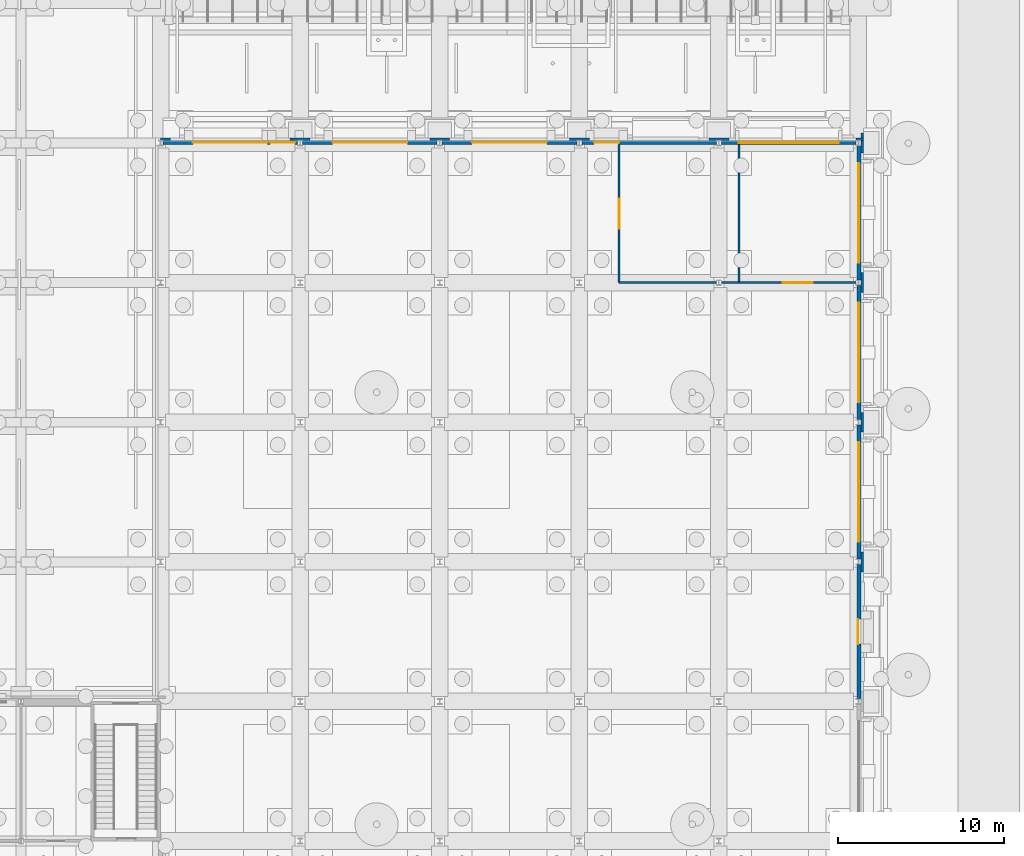
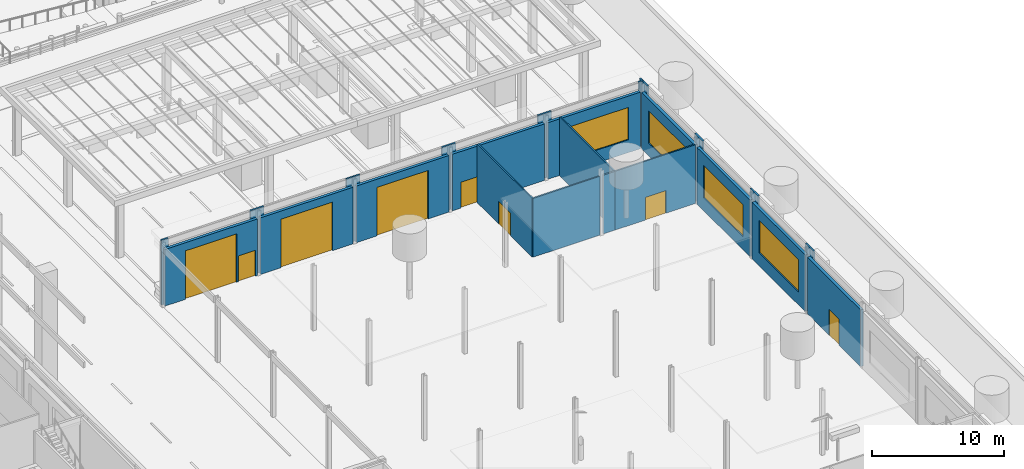
# One storey, part 101 of 222: 24 walls, 8 doors, 4 windows, 12 openings.
"""IFC4 building model written with IfcOpenShell, lengths in metres."""

from ifc_helpers import new_model, si_unit, direction, frame, frame_2d, origin, place, context, subcontext, project, spatial, rectangle, extrude, material, layer, layer_set, type_object, element, fill, save


model = new_model("IFC4")

# Units and contexts
model_context = context("Model", 3, precision=1e-05, world=origin(), true_north=direction((0.0, 1.0)))
body_context = subcontext(model_context, "Body", "Model", "MODEL_VIEW")
ifc_project = project(units=[si_unit("LENGTHUNIT", "METRE"), si_unit("AREAUNIT", "SQUARE_METRE"), si_unit("VOLUMEUNIT", "CUBIC_METRE"), si_unit("PLANEANGLEUNIT", "RADIAN"), si_unit("MASSUNIT", "GRAM", prefix="KILO")], contexts=[model_context])

# Site, building, storey
site_placement = place(None, origin())
site = spatial("IfcSite", under=ifc_project, at=site_placement, CompositionType="ELEMENT")
building_placement = place(site_placement, origin())
building = spatial("IfcBuilding", under=site, at=building_placement, Name="Sava Quay Ferry Terminal", CompositionType="ELEMENT")
storey_placement = place(building_placement, origin())
storey = spatial("IfcBuildingStorey", under=building, at=storey_placement, Name="L00", CompositionType="ELEMENT", Elevation=0.0)

# Wall, openings, doors
ifc_material_1 = material(Name="Concrete C35/45", Category="concrete")
ifc_layer_1 = layer(ifc_material_1, 0.25)
ifc_layer_set_1 = layer_set([ifc_layer_1], Name="Concrete C35/45")
wall_type_1 = type_object("IfcWallType", Name="Deck perimeter precast panel 250", PredefinedType="SOLIDWALL", material=ifc_layer_set_1)
wall_1_placement = place(storey_placement, frame((126.14990234375, 84.034912109375, 0.0), z_axis=(0.0, 0.0, 1.0), x_axis=(1.0, 0.0, 0.0)))
wall_1 = element("IfcWall", 1, at=wall_1_placement, inside=storey, type_object=wall_type_1, Name="External wall V-N", PredefinedType="SOLIDWALL", context=body_context, shape_type="SweptSolid", body=[
    extrude(rectangle(XDim=8.10009765625, YDim=0.25, at=frame_2d((4.050048828125, 0.0))), origin(), (0.0, 0.0, 1.0), 5.25),
])
opening_1_placement = place(wall_1_placement, frame((1.800048828125, 0.0, 0.0)))
opening_1 = element("IfcOpeningElement", 2, at=opening_1_placement, cuts=wall_1, Name="Opening DX-V3", PredefinedType="OPENING", context=body_context, shape_type="SweptSolid", body=[
    extrude(rectangle(XDim=4.5, YDim=4.5, at=frame_2d((2.25, 2.25))), frame((0.0, 0.125, 0.0), z_axis=(0.0, -1.0, 0.0), x_axis=(1.0, 0.0, 0.0)), (0.0, 0.0, 1.0), 0.25),
])
opening_2_placement = place(wall_1_placement, frame((6.449951171875, 0.0, 0.0)))
opening_2 = element("IfcOpeningElement", 3, at=opening_2_placement, cuts=wall_1, Name="Opening DX-V13", PredefinedType="OPENING", context=body_context, shape_type="SweptSolid", body=[
    extrude(rectangle(XDim=1.5, YDim=2.39990234375, at=frame_2d((0.75, 1.199951171875))), frame((0.0, 0.125, 0.0), z_axis=(0.0, -1.0, 0.0), x_axis=(1.0, 0.0, 0.0)), (0.0, 0.0, 1.0), 0.25),
])
ifc_material_2 = material(Name="Aluminium bronze anodised, glazing safety laminated", Category="aluminium")
door_type_1 = type_object("IfcDoorType", Name="Exit door 1500x2400", OperationType="DOUBLE_DOOR_SINGLE_SWING", PredefinedType="DOOR", material=ifc_material_2)
door_1_placement = place(opening_2_placement, origin())
door_1 = element("IfcDoor", 4, at=door_1_placement, inside=storey, type_object=door_type_1, Name="Door DX-V13", OperationType="DOUBLE_DOOR_SINGLE_SWING", OverallHeight=2.39990234375, OverallWidth=1.5, PredefinedType="DOOR", context=body_context, shape_type="SweptSolid", body=[
    extrude(rectangle(XDim=1.5, YDim=2.39990234375, at=frame_2d((0.75, 1.199951171875))), frame((0.0, 0.02490234375, 0.0), z_axis=(0.0, -1.0, 0.0), x_axis=(1.0, 0.0, 0.0)), (0.0, 0.0, 1.0), 0.050048828125),
])
fill(opening_2, door_1)
ifc_material_3 = material(Name="Steel gate galvanised", Category="steel")
door_type_2 = type_object("IfcDoorType", Name="Vehicle gate 4500x4500", OperationType="ROLLINGUP", PredefinedType="GATE", material=ifc_material_3)
door_2_placement = place(opening_1_placement, origin())
door_2 = element("IfcDoor", 5, at=door_2_placement, inside=storey, type_object=door_type_2, Name="Door DX-V3", OperationType="ROLLINGUP", OverallHeight=4.5, OverallWidth=4.5, PredefinedType="GATE", context=body_context, shape_type="SweptSolid", body=[
    extrude(rectangle(XDim=4.5, YDim=4.5, at=frame_2d((2.25, 2.25))), frame((0.0, 0.02490234375, 0.0), z_axis=(0.0, -1.0, 0.0), x_axis=(1.0, 0.0, 0.0)), (0.0, 0.0, 1.0), 0.050048828125),
])
fill(opening_1, door_2)

# Wall, opening, door
wall_2_placement = place(storey_placement, frame((134.550048828125, 84.034912109375, 0.0), z_axis=(0.0, 0.0, 1.0), x_axis=(1.0, 0.0, 0.0)))
wall_2 = element("IfcWall", 6, at=wall_2_placement, inside=storey, type_object=wall_type_1, Name="External wall V-N", PredefinedType="SOLIDWALL", context=body_context, shape_type="SweptSolid", body=[
    extrude(rectangle(XDim=8.099853515625, YDim=0.25, at=frame_2d((4.0498046875, 0.0))), origin(), (0.0, 0.0, 1.0), 5.25),
])
opening_3_placement = place(wall_2_placement, frame((1.800048828125, 0.0, 0.0)))
opening_3 = element("IfcOpeningElement", 7, at=opening_3_placement, cuts=wall_2, Name="Opening DX-V4", PredefinedType="OPENING", context=body_context, shape_type="SweptSolid", body=[
    extrude(rectangle(XDim=4.5, YDim=4.5, at=frame_2d((2.25, 2.25))), frame((0.0, 0.125, 0.0), z_axis=(0.0, -1.0, 0.0), x_axis=(1.0, 0.0, 0.0)), (0.0, 0.0, 1.0), 0.25),
])
door_3_placement = place(opening_3_placement, origin())
door_3 = element("IfcDoor", 8, at=door_3_placement, inside=storey, type_object=door_type_2, Name="Door DX-V4", OperationType="ROLLINGUP", OverallHeight=4.5, OverallWidth=4.5, PredefinedType="GATE", context=body_context, shape_type="SweptSolid", body=[
    extrude(rectangle(XDim=4.5, YDim=4.5, at=frame_2d((2.25, 2.25))), frame((0.0, 0.02490234375, 0.0), z_axis=(0.0, -1.0, 0.0), x_axis=(1.0, 0.0, 0.0)), (0.0, 0.0, 1.0), 0.050048828125),
])
fill(opening_3, door_3)

wall_3_placement = place(storey_placement, frame((142.949951171875, 84.034912109375, 0.0), z_axis=(0.0, 0.0, 1.0), x_axis=(1.0, 0.0, 0.0)))
wall_3 = element("IfcWall", 9, at=wall_3_placement, inside=storey, type_object=wall_type_1, Name="External wall V-N", PredefinedType="SOLIDWALL", context=body_context, shape_type="SweptSolid", body=[
    extrude(rectangle(XDim=8.10009765625, YDim=0.25, at=frame_2d((4.050048828125, 0.0))), origin(), (0.0, 0.0, 1.0), 5.25),
])
opening_4_placement = place(wall_3_placement, frame((1.800048828125, 0.0, 0.0)))
opening_4 = element("IfcOpeningElement", 10, at=opening_4_placement, cuts=wall_3, Name="Opening DX-V5", PredefinedType="OPENING", context=body_context, shape_type="SweptSolid", body=[
    extrude(rectangle(XDim=4.5, YDim=4.5, at=frame_2d((2.25, 2.25))), frame((0.0, 0.125, 0.0), z_axis=(0.0, -1.0, 0.0), x_axis=(1.0, 0.0, 0.0)), (0.0, 0.0, 1.0), 0.25),
])
door_4_placement = place(opening_4_placement, origin())
door_4 = element("IfcDoor", 11, at=door_4_placement, inside=storey, type_object=door_type_2, Name="Door DX-V5", OperationType="ROLLINGUP", OverallHeight=4.5, OverallWidth=4.5, PredefinedType="GATE", context=body_context, shape_type="SweptSolid", body=[
    extrude(rectangle(XDim=4.5, YDim=4.5, at=frame_2d((2.25, 2.25))), frame((0.0, 0.02490234375, 0.0), z_axis=(0.0, -1.0, 0.0), x_axis=(1.0, 0.0, 0.0)), (0.0, 0.0, 1.0), 0.050048828125),
])
fill(opening_4, door_4)

wall_4_placement = place(storey_placement, frame((151.35009765625, 84.034912109375, 0.0), z_axis=(0.0, 0.0, 1.0), x_axis=(1.0, 0.0, 0.0)))
wall_4 = element("IfcWall", 12, at=wall_4_placement, inside=storey, type_object=wall_type_1, Name="External wall V-N", PredefinedType="SOLIDWALL", context=body_context, shape_type="SweptSolid", body=[
    extrude(rectangle(XDim=8.099853515625, YDim=0.25, at=frame_2d((4.0498046875, 0.0))), origin(), (0.0, 0.0, 1.0), 5.25),
])
opening_5_placement = place(wall_4_placement, frame((0.75, 0.0, 0.0)))
opening_5 = element("IfcOpeningElement", 13, at=opening_5_placement, cuts=wall_4, Name="Opening DX-V10", PredefinedType="OPENING", context=body_context, shape_type="SweptSolid", body=[
    extrude(rectangle(XDim=1.5, YDim=2.39990234375, at=frame_2d((0.75, 1.199951171875))), frame((0.0, 0.125, 0.0), z_axis=(0.0, -1.0, 0.0), x_axis=(1.0, 0.0, 0.0)), (0.0, 0.0, 1.0), 0.25),
])
door_5_placement = place(opening_5_placement, origin())
door_5 = element("IfcDoor", 14, at=door_5_placement, inside=storey, type_object=door_type_1, Name="Door DX-V10", OperationType="DOUBLE_DOOR_SINGLE_SWING", OverallHeight=2.39990234375, OverallWidth=1.5, PredefinedType="DOOR", context=body_context, shape_type="SweptSolid", body=[
    extrude(rectangle(XDim=1.5, YDim=2.39990234375, at=frame_2d((0.75, 1.199951171875))), frame((0.0, 0.02490234375, 0.0), z_axis=(0.0, -1.0, 0.0), x_axis=(1.0, 0.0, 0.0)), (0.0, 0.0, 1.0), 0.050048828125),
])
fill(opening_5, door_5)

# Wall, opening, window
wall_5_placement = place(storey_placement, frame((159.75, 84.034912109375, 0.0), z_axis=(0.0, 0.0, 1.0), x_axis=(1.0, 0.0, 0.0)))
wall_5 = element("IfcWall", 15, at=wall_5_placement, inside=storey, type_object=wall_type_1, Name="External wall V-N", PredefinedType="SOLIDWALL", context=body_context, shape_type="SweptSolid", body=[
    extrude(rectangle(XDim=8.10009765625, YDim=0.25, at=frame_2d((4.050048828125, 0.0))), origin(), (0.0, 0.0, 1.0), 5.25),
])
opening_6_placement = place(wall_5_placement, frame((1.050048828125, 0.0, 1.199951171875)))
opening_6 = element("IfcOpeningElement", 16, at=opening_6_placement, cuts=wall_5, Name="Opening W-L", PredefinedType="OPENING", context=body_context, shape_type="SweptSolid", body=[
    extrude(rectangle(XDim=6.0, YDim=3.0, at=frame_2d((3.0, 1.5))), frame((0.0, 0.125, 0.0), z_axis=(0.0, -1.0, 0.0), x_axis=(1.0, 0.0, 0.0)), (0.0, 0.0, 1.0), 0.25),
])
ifc_material_4 = material(Name="Aluminium bronze anodised frame, glazing double low-e Ug 1.1", Category="aluminium")
window_type = type_object("IfcWindowType", Name="Deck louvre window 6000x3000", PartitioningType="SINGLE_PANEL", PredefinedType="WINDOW", material=ifc_material_4)
window_1_placement = place(opening_6_placement, origin())
window_1 = element("IfcWindow", 17, at=window_1_placement, inside=storey, type_object=window_type, Name="Louvre window W-L", OverallHeight=3.0, OverallWidth=6.0, PartitioningType="SINGLE_PANEL", PredefinedType="WINDOW", context=body_context, shape_type="SweptSolid", body=[
    extrude(rectangle(XDim=6.0, YDim=3.0, at=frame_2d((3.0, 1.5))), frame((0.0, 0.030029296875, 0.0), z_axis=(0.0, -1.0, 0.0), x_axis=(1.0, 0.0, 0.0)), (0.0, 0.0, 1.0), 0.06005859375),
])
fill(opening_6, window_1)

# Wall, opening, door
wall_6_placement = place(storey_placement, frame((168.02490234375, 50.56005859375, 0.0), z_axis=(0.0, 0.0, 1.0), x_axis=(0.0, 1.0, 0.0)))
wall_6 = element("IfcWall", 18, at=wall_6_placement, inside=storey, type_object=wall_type_1, Name="External wall V-E", PredefinedType="SOLIDWALL", context=body_context, shape_type="SweptSolid", body=[
    extrude(rectangle(XDim=8.079833984375, YDim=0.25, at=frame_2d((4.0400390625, 0.0))), origin(), (0.0, 0.0, 1.0), 5.25),
])
opening_7_placement = place(wall_6_placement, frame((3.2900390625, 0.0, 0.0)))
opening_7 = element("IfcOpeningElement", 19, at=opening_7_placement, cuts=wall_6, Name="Opening DX-V14", PredefinedType="OPENING", context=body_context, shape_type="SweptSolid", body=[
    extrude(rectangle(XDim=1.5, YDim=2.39990234375, at=frame_2d((0.75, 1.199951171875))), frame((0.0, 0.125, 0.0), z_axis=(0.0, -1.0, 0.0), x_axis=(1.0, 0.0, 0.0)), (0.0, 0.0, 1.0), 0.25),
])
door_6_placement = place(opening_7_placement, frame((1.5, 0.050048828125, 0.0), z_axis=(0.0, 0.0, 1.0), x_axis=(-1.0, 0.0, 0.0)))
door_6 = element("IfcDoor", 20, at=door_6_placement, inside=storey, type_object=door_type_1, Name="Door DX-V14", OperationType="DOUBLE_DOOR_SINGLE_SWING", OverallHeight=2.39990234375, OverallWidth=1.5, PredefinedType="DOOR", context=body_context, shape_type="SweptSolid", body=[
    extrude(rectangle(XDim=1.5, YDim=2.39990234375, at=frame_2d((0.75, 1.199951171875))), frame((0.0, 0.02490234375, 0.0), z_axis=(0.0, -1.0, 0.0), x_axis=(1.0, 0.0, 0.0)), (0.0, 0.0, 1.0), 0.050048828125),
])
fill(opening_7, door_6)

# Wall, opening, window
wall_7_placement = place(storey_placement, frame((168.02490234375, 58.9599609375, 0.0), z_axis=(0.0, 0.0, 1.0), x_axis=(0.0, 1.0, 0.0)))
wall_7 = element("IfcWall", 21, at=wall_7_placement, inside=storey, type_object=wall_type_1, Name="External wall V-E", PredefinedType="SOLIDWALL", context=body_context, shape_type="SweptSolid", body=[
    extrude(rectangle(XDim=8.080078125, YDim=0.25, at=frame_2d((4.0400390625, 0.0))), origin(), (0.0, 0.0, 1.0), 5.25),
])
opening_8_placement = place(wall_7_placement, frame((1.0400390625, 0.0, 1.199951171875)))
opening_8 = element("IfcOpeningElement", 22, at=opening_8_placement, cuts=wall_7, Name="Opening W-L", PredefinedType="OPENING", context=body_context, shape_type="SweptSolid", body=[
    extrude(rectangle(XDim=6.0, YDim=3.0, at=frame_2d((3.0, 1.5))), frame((0.0, 0.125, 0.0), z_axis=(0.0, -1.0, 0.0), x_axis=(1.0, 0.0, 0.0)), (0.0, 0.0, 1.0), 0.25),
])
window_2_placement = place(opening_8_placement, origin())
window_2 = element("IfcWindow", 23, at=window_2_placement, inside=storey, type_object=window_type, Name="Louvre window W-L", OverallHeight=3.0, OverallWidth=6.0, PartitioningType="SINGLE_PANEL", PredefinedType="WINDOW", context=body_context, shape_type="SweptSolid", body=[
    extrude(rectangle(XDim=6.0, YDim=3.0, at=frame_2d((3.0, 1.5))), frame((0.0, 0.030029296875, 0.0), z_axis=(0.0, -1.0, 0.0), x_axis=(1.0, 0.0, 0.0)), (0.0, 0.0, 1.0), 0.06005859375),
])
fill(opening_8, window_2)

wall_8_placement = place(storey_placement, frame((168.02490234375, 67.360107421875, 0.0), z_axis=(0.0, 0.0, 1.0), x_axis=(0.0, 1.0, 0.0)))
wall_8 = element("IfcWall", 24, at=wall_8_placement, inside=storey, type_object=wall_type_1, Name="External wall V-E", PredefinedType="SOLIDWALL", context=body_context, shape_type="SweptSolid", body=[
    extrude(rectangle(XDim=8.079833984375, YDim=0.25, at=frame_2d((4.0400390625, 0.0))), origin(), (0.0, 0.0, 1.0), 5.25),
])
opening_9_placement = place(wall_8_placement, frame((1.0400390625, 0.0, 1.199951171875)))
opening_9 = element("IfcOpeningElement", 25, at=opening_9_placement, cuts=wall_8, Name="Opening W-L", PredefinedType="OPENING", context=body_context, shape_type="SweptSolid", body=[
    extrude(rectangle(XDim=6.0, YDim=3.0, at=frame_2d((3.0, 1.5))), frame((0.0, 0.125, 0.0), z_axis=(0.0, -1.0, 0.0), x_axis=(1.0, 0.0, 0.0)), (0.0, 0.0, 1.0), 0.25),
])
window_3_placement = place(opening_9_placement, origin())
window_3 = element("IfcWindow", 26, at=window_3_placement, inside=storey, type_object=window_type, Name="Louvre window W-L", OverallHeight=3.0, OverallWidth=6.0, PartitioningType="SINGLE_PANEL", PredefinedType="WINDOW", context=body_context, shape_type="SweptSolid", body=[
    extrude(rectangle(XDim=6.0, YDim=3.0, at=frame_2d((3.0, 1.5))), frame((0.0, 0.030029296875, 0.0), z_axis=(0.0, -1.0, 0.0), x_axis=(1.0, 0.0, 0.0)), (0.0, 0.0, 1.0), 0.06005859375),
])
fill(opening_9, window_3)

wall_9_placement = place(storey_placement, frame((168.02490234375, 75.760009765625, 0.0), z_axis=(0.0, 0.0, 1.0), x_axis=(0.0, 1.0, 0.0)))
wall_9 = element("IfcWall", 27, at=wall_9_placement, inside=storey, type_object=wall_type_1, Name="External wall V-E", PredefinedType="SOLIDWALL", context=body_context, shape_type="SweptSolid", body=[
    extrude(rectangle(XDim=8.080078125, YDim=0.25, at=frame_2d((4.0400390625, 0.0))), origin(), (0.0, 0.0, 1.0), 5.25),
])
opening_10_placement = place(wall_9_placement, frame((1.0400390625, 0.0, 1.199951171875)))
opening_10 = element("IfcOpeningElement", 28, at=opening_10_placement, cuts=wall_9, Name="Opening W-L", PredefinedType="OPENING", context=body_context, shape_type="SweptSolid", body=[
    extrude(rectangle(XDim=6.0, YDim=3.0, at=frame_2d((3.0, 1.5))), frame((0.0, 0.125, 0.0), z_axis=(0.0, -1.0, 0.0), x_axis=(1.0, 0.0, 0.0)), (0.0, 0.0, 1.0), 0.25),
])
window_4_placement = place(opening_10_placement, origin())
window_4 = element("IfcWindow", 29, at=window_4_placement, inside=storey, type_object=window_type, Name="Louvre window W-L", OverallHeight=3.0, OverallWidth=6.0, PartitioningType="SINGLE_PANEL", PredefinedType="WINDOW", context=body_context, shape_type="SweptSolid", body=[
    extrude(rectangle(XDim=6.0, YDim=3.0, at=frame_2d((3.0, 1.5))), frame((0.0, 0.030029296875, 0.0), z_axis=(0.0, -1.0, 0.0), x_axis=(1.0, 0.0, 0.0)), (0.0, 0.0, 1.0), 0.06005859375),
])
fill(opening_10, window_4)

# Walls
ifc_material_5 = material(Name="Limestone Mutalj", Category="masonry")
ifc_layer_2 = layer(ifc_material_5, 0.14990234375)
ifc_layer_set_2 = layer_set([ifc_layer_2], Name="Limestone Mutalj")
wall_type_2 = type_object("IfcWallType", Name="Pier cladding 150", PredefinedType="SOLIDWALL", material=ifc_layer_set_2)
wall_10_placement = place(storey_placement, frame((126.0, 84.235107421875, 0.0), z_axis=(0.0, 0.0, 1.0), x_axis=(1.0, 0.0, 0.0)))
element("IfcWall", 30, at=wall_10_placement, inside=storey, type_object=wall_type_2, Name="Pier V-N grid 126", PredefinedType="SOLIDWALL", context=body_context, shape_type="SweptSolid", body=[
    extrude(rectangle(XDim=0.60009765625, YDim=0.14990234375, at=frame_2d((0.300048828125, 0.0))), origin(), (0.0, 0.0, 1.0), 6.0),
])
for number, where, z_axis, x_axis, name in (
    (31, (133.800048828125, 84.235107421875, 0.0), (0.0, 0.0, 1.0), (1.0, 0.0, 0.0), "Pier V-N grid 134.4"),
    (32, (142.199951171875, 84.235107421875, 0.0), (0.0, 0.0, 1.0), (1.0, 0.0, 0.0), "Pier V-N grid 142.8"),
    (33, (150.60009765625, 84.235107421875, 0.0), (0.0, 0.0, 1.0), (1.0, 0.0, 0.0), "Pier V-N grid 151.2"),
    (34, (159.0, 84.235107421875, 0.0), (0.0, 0.0, 1.0), (1.0, 0.0, 0.0), "Pier V-N grid 159.6"),
):
    element("IfcWall", number, at=place(storey_placement, frame(where, z_axis=z_axis, x_axis=x_axis)), inside=storey, type_object=wall_type_2, Name=name, PredefinedType="SOLIDWALL", context=body_context, shape_type="SweptSolid", body=[
        extrude(rectangle(XDim=1.199951171875, YDim=0.14990234375, at=frame_2d((0.60009765625, 0.0))), origin(), (0.0, 0.0, 1.0), 6.0),
    ])
wall_11_placement = place(storey_placement, frame((167.85009765625, 84.235107421875, 0.0), z_axis=(0.0, 0.0, 1.0), x_axis=(1.0, 0.0, 0.0)))
element("IfcWall", 35, at=wall_11_placement, inside=storey, type_object=wall_type_2, Name="Pier V-N grid 168", PredefinedType="SOLIDWALL", context=body_context, shape_type="SweptSolid", body=[
    extrude(rectangle(XDim=0.449951171875, YDim=0.14990234375, at=frame_2d((0.22509765625, 0.0))), origin(), (0.0, 0.0, 1.0), 6.0),
])
for number, where, z_axis, x_axis, name in (
    (36, (168.22509765625, 58.199951171875, 0.0), (0.0, 0.0, 1.0), (0.0, 1.0, 0.0), "Pier V-E grid 58.8"),
    (37, (168.22509765625, 66.60009765625, 0.0), (0.0, 0.0, 1.0), (0.0, 1.0, 0.0), "Pier V-E grid 67.2"),
    (38, (168.22509765625, 75.0, 0.0), (0.0, 0.0, 1.0), (0.0, 1.0, 0.0), "Pier V-E grid 75.6"),
):
    element("IfcWall", number, at=place(storey_placement, frame(where, z_axis=z_axis, x_axis=x_axis)), inside=storey, type_object=wall_type_2, Name=name, PredefinedType="SOLIDWALL", context=body_context, shape_type="SweptSolid", body=[
        extrude(rectangle(XDim=1.199951171875, YDim=0.14990234375, at=frame_2d((0.60009765625, 0.0))), origin(), (0.0, 0.0, 1.0), 6.0),
    ])
wall_12_placement = place(storey_placement, frame((168.22509765625, 83.39990234375, 0.0), z_axis=(0.0, 0.0, 1.0), x_axis=(0.0, 1.0, 0.0)))
element("IfcWall", 39, at=wall_12_placement, inside=storey, type_object=wall_type_2, Name="Pier V-E grid 84", PredefinedType="SOLIDWALL", context=body_context, shape_type="SweptSolid", body=[
    extrude(rectangle(XDim=1.2001953125, YDim=0.14990234375, at=frame_2d((0.60009765625, 0.0))), origin(), (0.0, 0.0, 1.0), 6.0),
])
ifc_material_6 = material(Name="Plasterboard on steel studs", Category="steel")
ifc_layer_3 = layer(ifc_material_6, 0.125)
ifc_layer_set_3 = layer_set([ifc_layer_3], Name="Plasterboard on steel studs")
wall_type_3 = type_object("IfcWallType", Name="Room partition, plasterboard on steel studs 125", PredefinedType="PARTITIONING", material=ifc_layer_set_3)
wall_13_placement = place(storey_placement, frame((153.60009765625, 75.60009765625, 0.0), z_axis=(0.0, 0.0, 1.0), x_axis=(1.0, 0.0, 0.0)))
element("IfcWall", 40, at=wall_13_placement, inside=storey, type_object=wall_type_3, Name="Room partition, plasterboard on steel studs 125", PredefinedType="PARTITIONING", context=body_context, shape_type="SweptSolid", body=[
    extrude(rectangle(XDim=5.849853515625, YDim=0.125, at=frame_2d((2.9248046875, 0.0))), origin(), (0.0, 0.0, 1.0), 5.449951171875),
])
wall_14_placement = place(storey_placement, frame((159.75, 75.60009765625, 0.0), z_axis=(0.0, 0.0, 1.0), x_axis=(1.0, 0.0, 0.0)))
element("IfcWall", 41, at=wall_14_placement, inside=storey, type_object=wall_type_3, Name="Room partition, plasterboard on steel studs 125", PredefinedType="PARTITIONING", context=body_context, shape_type="SweptSolid", body=[
    extrude(rectangle(XDim=1.050048828125, YDim=0.125, at=frame_2d((0.52490234375, 0.0))), origin(), (0.0, 0.0, 1.0), 5.449951171875),
])

# Wall, opening, door
wall_15_placement = place(storey_placement, frame((153.60009765625, 75.60009765625, 0.0), z_axis=(0.0, 0.0, 1.0), x_axis=(0.0, 1.0, 0.0)))
wall_15 = element("IfcWall", 42, at=wall_15_placement, inside=storey, type_object=wall_type_3, Name="Room partition, plasterboard on steel studs 125", PredefinedType="PARTITIONING", context=body_context, shape_type="SweptSolid", body=[
    extrude(rectangle(XDim=8.309326171875, YDim=0.125, at=frame_2d((4.15478515625, 0.0))), origin(), (0.0, 0.0, 1.0), 5.449951171875),
])
opening_11_placement = place(wall_15_placement, frame((3.25, 0.0, 0.0)))
opening_11 = element("IfcOpeningElement", 43, at=opening_11_placement, cuts=wall_15, Name="Opening D0031", PredefinedType="OPENING", context=body_context, shape_type="SweptSolid", body=[
    extrude(rectangle(XDim=1.800048828125, YDim=2.10009765625, at=frame_2d((0.89990234375, 1.050048828125))), frame((0.0, 0.0625, 0.0), z_axis=(0.0, -1.0, 0.0), x_axis=(1.0, 0.0, 0.0)), (0.0, 0.0, 1.0), 0.125),
])
ifc_material_7 = material(Name="Timber door set", Category="wood")
door_type_3 = type_object("IfcDoorType", Name="Double door 1800 x 2100", OperationType="NOTDEFINED", PredefinedType="DOOR", material=ifc_material_7)
door_7_placement = place(opening_11_placement, origin())
door_7 = element("IfcDoor", 44, at=door_7_placement, inside=storey, type_object=door_type_3, Name="Door D0031", OperationType="DOUBLE_DOOR_DOUBLE_SWING", OverallHeight=2.10009765625, OverallWidth=1.800048828125, PredefinedType="DOOR", context=body_context, shape_type="SweptSolid", body=[
    extrude(rectangle(XDim=1.800048828125, YDim=2.10009765625, at=frame_2d((0.89990234375, 1.050048828125))), frame((0.0, 0.02490234375, 0.0), z_axis=(0.0, -1.0, 0.0), x_axis=(1.0, 0.0, 0.0)), (0.0, 0.0, 1.0), 0.050048828125),
])
fill(opening_11, door_7)

wall_16_placement = place(storey_placement, frame((160.800048828125, 75.60009765625, 0.0), z_axis=(0.0, 0.0, 1.0), x_axis=(1.0, 0.0, 0.0)))
wall_16 = element("IfcWall", 45, at=wall_16_placement, inside=storey, type_object=wall_type_3, Name="Room partition, plasterboard on steel studs 125", PredefinedType="PARTITIONING", context=body_context, shape_type="SweptSolid", body=[
    extrude(rectangle(XDim=7.050048828125, YDim=0.125, at=frame_2d((3.52490234375, 0.0))), origin(), (0.0, 0.0, 1.0), 5.449951171875),
])
opening_12_placement = place(wall_16_placement, frame((2.64990234375, 0.0, 0.0)))
opening_12 = element("IfcOpeningElement", 46, at=opening_12_placement, cuts=wall_16, Name="Opening D0032", PredefinedType="OPENING", context=body_context, shape_type="SweptSolid", body=[
    extrude(rectangle(XDim=1.800048828125, YDim=2.10009765625, at=frame_2d((0.89990234375, 1.050048828125))), frame((0.0, 0.0625, 0.0), z_axis=(0.0, -1.0, 0.0), x_axis=(1.0, 0.0, 0.0)), (0.0, 0.0, 1.0), 0.125),
])
door_8_placement = place(opening_12_placement, origin())
door_8 = element("IfcDoor", 47, at=door_8_placement, inside=storey, type_object=door_type_3, Name="Door D0032", OperationType="DOUBLE_DOOR_DOUBLE_SWING", OverallHeight=2.10009765625, OverallWidth=1.800048828125, PredefinedType="DOOR", context=body_context, shape_type="SweptSolid", body=[
    extrude(rectangle(XDim=1.800048828125, YDim=2.10009765625, at=frame_2d((0.89990234375, 1.050048828125))), frame((0.0, 0.02490234375, 0.0), z_axis=(0.0, -1.0, 0.0), x_axis=(1.0, 0.0, 0.0)), (0.0, 0.0, 1.0), 0.050048828125),
])
fill(opening_12, door_8)

# Wall
wall_17_placement = place(storey_placement, frame((160.800048828125, 75.60009765625, 0.0), z_axis=(0.0, 0.0, 1.0), x_axis=(0.0, 1.0, 0.0)))
element("IfcWall", 48, at=wall_17_placement, inside=storey, type_object=wall_type_3, Name="Room partition, plasterboard on steel studs 125", PredefinedType="PARTITIONING", context=body_context, shape_type="SweptSolid", body=[
    extrude(rectangle(XDim=8.309326171875, YDim=0.125, at=frame_2d((4.15478515625, 0.0))), origin(), (0.0, 0.0, 1.0), 5.449951171875),
])

save(model, "model.ifc")
